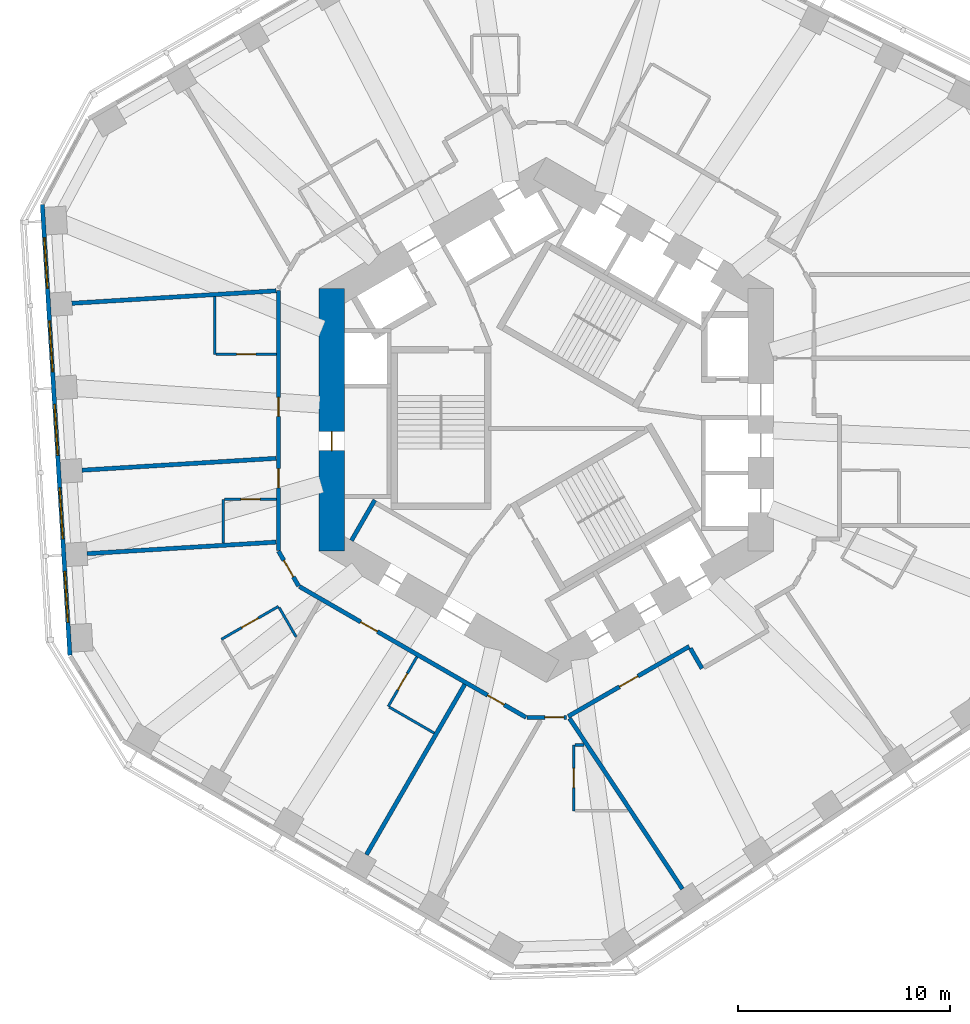
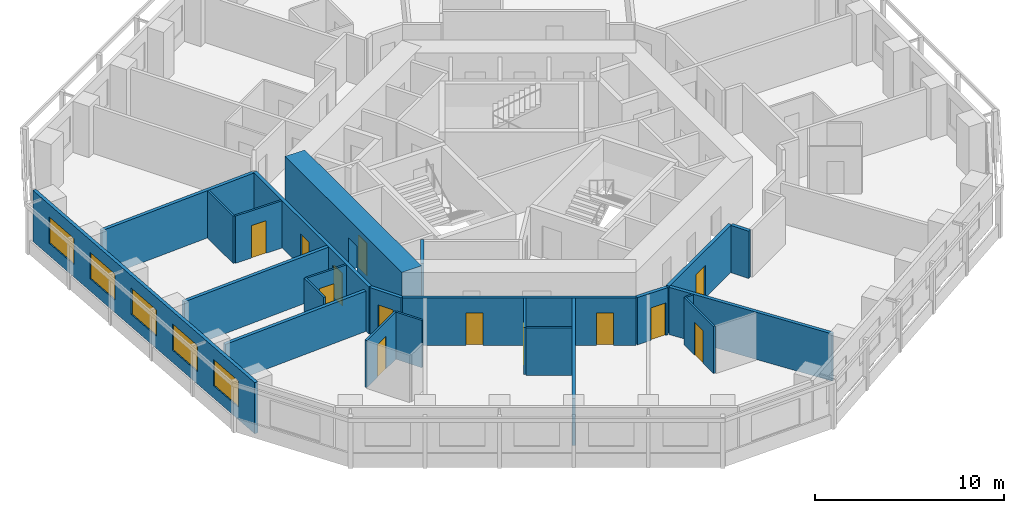
# One storey, part 4 of 11: 24 walls, 13 doors, 5 windows, 18 openings.
"""IFC4 building model written with IfcOpenShell, lengths in metres."""

from ifc_helpers import new_model, si_unit, direction, frame, frame_2d, origin, place, context, subcontext, project, spatial, rectangle, extrude, material, layer, layer_set, type_object, element, fill, save


model = new_model("IFC4")

# Units and contexts
model_context = context("Model", 3, precision=1e-05, world=origin(), true_north=direction((0.0, 1.0)))
body_context = subcontext(model_context, "Body", "Model", "MODEL_VIEW")
ifc_project = project(units=[si_unit("LENGTHUNIT", "METRE"), si_unit("AREAUNIT", "SQUARE_METRE"), si_unit("VOLUMEUNIT", "CUBIC_METRE"), si_unit("PLANEANGLEUNIT", "RADIAN"), si_unit("MASSUNIT", "GRAM", prefix="KILO")], contexts=[model_context])

# Site, building, storey
site_placement = place(None, origin())
site = spatial("IfcSite", under=ifc_project, at=site_placement, CompositionType="ELEMENT")
building_placement = place(site_placement, origin())
building = spatial("IfcBuilding", under=site, at=building_placement, Name="Vanh Sen Convention Tower", CompositionType="ELEMENT")
storey_placement = place(building_placement, frame((0.0, 0.0, 100.10009765625)))
storey = spatial("IfcBuildingStorey", under=building, at=storey_placement, Name="L23", CompositionType="ELEMENT", Elevation=100.10009765625)

# Wall
ifc_material_1 = material(Name="Moisture-resistant gypsum board on steel studs", Category="steel")
ifc_layer_1 = layer(ifc_material_1, 0.1201171875)
ifc_layer_set_1 = layer_set([ifc_layer_1], Name="Moisture-resistant gypsum board on steel studs")
wall_type_1 = type_object("IfcWallType", Name="Bathroom partition 120", PredefinedType="PARTITIONING", material=ifc_layer_set_1)
wall_1_placement = place(storey_placement, frame((-15.60009765625, 3.081298828125, 0.0), z_axis=(0.0, 0.0, 1.0), x_axis=(0.0, 1.0, 0.0)))
element("IfcWall", 1, at=wall_1_placement, inside=storey, type_object=wall_type_1, Name="Bathroom partition 120", PredefinedType="PARTITIONING", context=body_context, shape_type="SweptSolid", body=[
    extrude(rectangle(XDim=2.71630859375, YDim=0.1201171875, at=frame_2d((1.358154296875, 0.0))), origin(), (0.0, 0.0, 1.0), 3.0498046875),
])

# Wall, opening, door
wall_2_placement = place(storey_placement, frame((-15.285400390625, -10.326171875, 0.0), z_axis=(0.0, 0.0, 1.0), x_axis=(0.86600983753, 0.500026960575, 0.0)))
wall_2 = element("IfcWall", 2, at=wall_2_placement, inside=storey, type_object=wall_type_1, Name="Bathroom partition 120", PredefinedType="PARTITIONING", context=body_context, shape_type="SweptSolid", body=[
    extrude(rectangle(XDim=3.099853515625, YDim=0.1201171875, at=frame_2d((1.5498046875, 0.0))), origin(), (0.0, 0.0, 1.0), 3.0498046875),
])
opening_1_placement = place(wall_2_placement, frame((1.10009765625, 0.0, 0.0)))
opening_1 = element("IfcOpeningElement", 3, at=opening_1_placement, cuts=wall_2, Name="Opening D22119", PredefinedType="OPENING", context=body_context, shape_type="SweptSolid", body=[
    extrude(rectangle(XDim=0.89990234375, YDim=2.10009765625, at=frame_2d((0.449951171875, 1.050048828125))), frame((0.0, 0.070068359375, 0.0), z_axis=(0.0, -1.0, 0.0), x_axis=(1.0, 0.0, 0.0)), (0.0, 0.0, 1.0), 0.14013671875),
])
ifc_material_2 = material(Name="Laminate door in steel frame", Category="steel")
door_type_1 = type_object("IfcDoorType", Name="En-suite door 900", OperationType="SINGLE_SWING_LEFT", PredefinedType="DOOR", material=ifc_material_2)
door_1_placement = place(opening_1_placement, origin())
door_1 = element("IfcDoor", 4, at=door_1_placement, inside=storey, type_object=door_type_1, Name="En-suite door D22119", OperationType="SINGLE_SWING_LEFT", OverallHeight=2.10009765625, OverallWidth=0.89990234375, PredefinedType="DOOR", context=body_context, shape_type="SweptSolid", body=[
    extrude(rectangle(XDim=0.89990234375, YDim=2.10009765625, at=frame_2d((0.449951171875, 1.050048828125))), frame((0.0, 0.02490234375, 0.0), z_axis=(0.0, -1.0, 0.0), x_axis=(1.0, 0.0, 0.0)), (0.0, 0.0, 1.0), 0.050048828125),
])
fill(opening_1, door_1)

# Wall
wall_3_placement = place(storey_placement, frame((-15.199951171875, -5.8037109375, 0.0), z_axis=(0.0, 0.0, 1.0), x_axis=(0.0, 1.0, 0.0)))
element("IfcWall", 5, at=wall_3_placement, inside=storey, type_object=wall_type_1, Name="Bathroom partition 120", PredefinedType="PARTITIONING", context=body_context, shape_type="SweptSolid", body=[
    extrude(rectangle(XDim=2.059326171875, YDim=0.1201171875, at=frame_2d((1.02978515625, 0.0))), origin(), (0.0, 0.0, 1.0), 3.0498046875),
])

# Wall, opening, door
wall_4_placement = place(storey_placement, frame((-15.139892578125, -3.744384765625, 0.0), z_axis=(0.0, 0.0, 1.0), x_axis=(1.0, 0.0, 0.0)))
wall_4 = element("IfcWall", 6, at=wall_4_placement, inside=storey, type_object=wall_type_1, Name="Bathroom partition 120", PredefinedType="PARTITIONING", context=body_context, shape_type="SweptSolid", body=[
    extrude(rectangle(XDim=2.43994140625, YDim=0.1201171875, at=frame_2d((1.219970703125, 0.0))), origin(), (0.0, 0.0, 1.0), 3.0498046875),
])
opening_2_placement = place(wall_4_placement, frame((0.77001953125, 0.0, 0.0)))
opening_2 = element("IfcOpeningElement", 7, at=opening_2_placement, cuts=wall_4, Name="Opening D22117", PredefinedType="OPENING", context=body_context, shape_type="SweptSolid", body=[
    extrude(rectangle(XDim=0.89990234375, YDim=2.10009765625, at=frame_2d((0.449951171875, 1.050048828125))), frame((0.0, 0.070068359375, 0.0), z_axis=(0.0, -1.0, 0.0), x_axis=(1.0, 0.0, 0.0)), (0.0, 0.0, 1.0), 0.14013671875),
])
door_2_placement = place(opening_2_placement, origin())
door_2 = element("IfcDoor", 8, at=door_2_placement, inside=storey, type_object=door_type_1, Name="En-suite door D22117", OperationType="SINGLE_SWING_LEFT", OverallHeight=2.10009765625, OverallWidth=0.89990234375, PredefinedType="DOOR", context=body_context, shape_type="SweptSolid", body=[
    extrude(rectangle(XDim=0.89990234375, YDim=2.10009765625, at=frame_2d((0.449951171875, 1.050048828125))), frame((0.0, 0.02490234375, 0.0), z_axis=(0.0, -1.0, 0.0), x_axis=(1.0, 0.0, 0.0)), (0.0, 0.0, 1.0), 0.050048828125),
])
fill(opening_2, door_2)

wall_5_placement = place(storey_placement, frame((-12.699951171875, 3.081298828125, 0.0), z_axis=(0.0, 0.0, 1.0), x_axis=(-1.0, 0.0, 0.0)))
wall_5 = element("IfcWall", 9, at=wall_5_placement, inside=storey, type_object=wall_type_1, Name="Bathroom partition 120", PredefinedType="PARTITIONING", context=body_context, shape_type="SweptSolid", body=[
    extrude(rectangle(XDim=2.840087890625, YDim=0.1201171875, at=frame_2d((1.419921875, 0.0))), origin(), (0.0, 0.0, 1.0), 3.0498046875),
])
opening_3_placement = place(wall_5_placement, frame((0.969970703125, 0.0, 0.0)))
opening_3 = element("IfcOpeningElement", 10, at=opening_3_placement, cuts=wall_5, Name="Opening D22115", PredefinedType="OPENING", context=body_context, shape_type="SweptSolid", body=[
    extrude(rectangle(XDim=0.89990234375, YDim=2.10009765625, at=frame_2d((0.449951171875, 1.050048828125))), frame((0.0, 0.070068359375, 0.0), z_axis=(0.0, -1.0, 0.0), x_axis=(1.0, 0.0, 0.0)), (0.0, 0.0, 1.0), 0.14013671875),
])
door_3_placement = place(opening_3_placement, origin())
door_3 = element("IfcDoor", 11, at=door_3_placement, inside=storey, type_object=door_type_1, Name="En-suite door D22115", OperationType="SINGLE_SWING_LEFT", OverallHeight=2.10009765625, OverallWidth=0.89990234375, PredefinedType="DOOR", context=body_context, shape_type="SweptSolid", body=[
    extrude(rectangle(XDim=0.89990234375, YDim=2.10009765625, at=frame_2d((0.449951171875, 1.050048828125))), frame((0.0, 0.02490234375, 0.0), z_axis=(0.0, -1.0, 0.0), x_axis=(1.0, 0.0, 0.0)), (0.0, 0.0, 1.0), 0.050048828125),
])
fill(opening_3, door_3)

# Wall
wall_6_placement = place(storey_placement, frame((-12.57080078125, -8.828125, 0.0), z_axis=(0.0, 0.0, 1.0), x_axis=(0.499960029081, -0.866048479775, 0.0)))
element("IfcWall", 12, at=wall_6_placement, inside=storey, type_object=wall_type_1, Name="Bathroom partition 120", PredefinedType="PARTITIONING", context=body_context, shape_type="SweptSolid", body=[
    extrude(rectangle(XDim=1.601318359375, YDim=0.1201171875, at=frame_2d((0.80078125, 0.0))), origin(), (0.0, 0.0, 1.0), 3.0498046875),
])

# Wall, opening, door
wall_7_placement = place(storey_placement, frame((-7.436279296875, -13.489013671875, 0.0), z_axis=(0.0, 0.0, 1.0), x_axis=(0.500048589285, 0.86599734893, 0.0)))
wall_7 = element("IfcWall", 13, at=wall_7_placement, inside=storey, type_object=wall_type_1, Name="Bathroom partition 120", PredefinedType="PARTITIONING", context=body_context, shape_type="SweptSolid", body=[
    extrude(rectangle(XDim=2.699951171875, YDim=0.1201171875, at=frame_2d((1.35009765625, 0.0))), origin(), (0.0, 0.0, 1.0), 3.0498046875),
])
opening_4_placement = place(wall_7_placement, frame((0.89990234375, 0.0, 0.0)))
opening_4 = element("IfcOpeningElement", 14, at=opening_4_placement, cuts=wall_7, Name="Opening D22121", PredefinedType="OPENING", context=body_context, shape_type="SweptSolid", body=[
    extrude(rectangle(XDim=0.89990234375, YDim=2.10009765625, at=frame_2d((0.449951171875, 1.050048828125))), frame((0.0, 0.070068359375, 0.0), z_axis=(0.0, -1.0, 0.0), x_axis=(1.0, 0.0, 0.0)), (0.0, 0.0, 1.0), 0.14013671875),
])
door_4_placement = place(opening_4_placement, origin())
door_4 = element("IfcDoor", 15, at=door_4_placement, inside=storey, type_object=door_type_1, Name="En-suite door D22121", OperationType="SINGLE_SWING_LEFT", OverallHeight=2.10009765625, OverallWidth=0.89990234375, PredefinedType="DOOR", context=body_context, shape_type="SweptSolid", body=[
    extrude(rectangle(XDim=0.89990234375, YDim=2.10009765625, at=frame_2d((0.449951171875, 1.050048828125))), frame((0.0, 0.02490234375, 0.0), z_axis=(0.0, -1.0, 0.0), x_axis=(1.0, 0.0, 0.0)), (0.0, 0.0, 1.0), 0.050048828125),
])
fill(opening_4, door_4)

# Wall
wall_8_placement = place(storey_placement, frame((-5.271240234375, -14.739013671875, 0.0), z_axis=(0.0, 0.0, 1.0), x_axis=(-0.866023955769, 0.500002508028, 0.0)))
element("IfcWall", 16, at=wall_8_placement, inside=storey, type_object=wall_type_1, Name="Bathroom partition 120", PredefinedType="PARTITIONING", context=body_context, shape_type="SweptSolid", body=[
    extrude(rectangle(XDim=2.43994140625, YDim=0.1201171875, at=frame_2d((1.219970703125, 0.0))), origin(), (0.0, 0.0, 1.0), 3.0498046875),
])

# Wall, opening, door
wall_9_placement = place(storey_placement, frame((1.300048828125, -18.400634765625, 0.0), z_axis=(0.0, 0.0, 1.0), x_axis=(0.0, 1.0, 0.0)))
wall_9 = element("IfcWall", 17, at=wall_9_placement, inside=storey, type_object=wall_type_1, Name="Bathroom partition 120", PredefinedType="PARTITIONING", context=body_context, shape_type="SweptSolid", body=[
    extrude(rectangle(XDim=3.099853515625, YDim=0.1201171875, at=frame_2d((1.5498046875, 0.0))), origin(), (0.0, 0.0, 1.0), 3.0498046875),
])
opening_5_placement = place(wall_9_placement, frame((1.10009765625, 0.0, 0.0)))
opening_5 = element("IfcOpeningElement", 18, at=opening_5_placement, cuts=wall_9, Name="Opening D22124", PredefinedType="OPENING", context=body_context, shape_type="SweptSolid", body=[
    extrude(rectangle(XDim=0.89990234375, YDim=2.10009765625, at=frame_2d((0.449951171875, 1.050048828125))), frame((0.0, 0.070068359375, 0.0), z_axis=(0.0, -1.0, 0.0), x_axis=(1.0, 0.0, 0.0)), (0.0, 0.0, 1.0), 0.14013671875),
])
door_5_placement = place(opening_5_placement, origin())
door_5 = element("IfcDoor", 19, at=door_5_placement, inside=storey, type_object=door_type_1, Name="En-suite door D22124", OperationType="SINGLE_SWING_LEFT", OverallHeight=2.10009765625, OverallWidth=0.89990234375, PredefinedType="DOOR", context=body_context, shape_type="SweptSolid", body=[
    extrude(rectangle(XDim=0.89990234375, YDim=2.10009765625, at=frame_2d((0.449951171875, 1.050048828125))), frame((0.0, 0.02490234375, 0.0), z_axis=(0.0, -1.0, 0.0), x_axis=(1.0, 0.0, 0.0)), (0.0, 0.0, 1.0), 0.050048828125),
])
fill(opening_5, door_5)

# Wall
wall_10_placement = place(storey_placement, frame((1.360107421875, -15.30078125, 0.0), z_axis=(0.0, 0.0, 1.0), x_axis=(1.0, 0.0, 0.0)))
element("IfcWall", 20, at=wall_10_placement, inside=storey, type_object=wall_type_1, Name="Bathroom partition 120", PredefinedType="PARTITIONING", context=body_context, shape_type="SweptSolid", body=[
    extrude(rectangle(XDim=0.415771484375, YDim=0.1201171875, at=frame_2d((0.2080078125, 0.0))), origin(), (0.0, 0.0, 1.0), 3.0498046875),
])

# Wall, opening, door
ifc_material_3 = material(Name="Concrete C80/95", Category="concrete")
ifc_layer_2 = layer(ifc_material_3, 1.199951171875)
ifc_layer_set_2 = layer_set([ifc_layer_2], Name="Concrete C80/95")
wall_type_2 = type_object("IfcWallType", Name="Core outer wall 1200 C80/95", PredefinedType="SHEAR", material=ifc_layer_set_2)
wall_11_placement = place(storey_placement, frame((-10.10009765625, 6.177490234375, 0.0), z_axis=(0.0, 0.0, 1.0), x_axis=(0.0, -1.0, 0.0)))
wall_11 = element("IfcWall", 21, at=wall_11_placement, inside=storey, type_object=wall_type_2, Name="Core wall face W L23", PredefinedType="SHEAR", context=body_context, shape_type="SweptSolid", body=[
    extrude(rectangle(XDim=12.35498046875, YDim=1.199951171875, at=frame_2d((6.177490234375, 0.0))), origin(), (0.0, 0.0, 1.0), 3.2998046875),
])
opening_6_placement = place(wall_11_placement, frame((6.7275390625, 0.0, 0.0)))
opening_6 = element("IfcOpeningElement", 22, at=opening_6_placement, cuts=wall_11, Name="Opening D22009", PredefinedType="OPENING", context=body_context, shape_type="SweptSolid", body=[
    extrude(rectangle(XDim=0.89990234375, YDim=2.10009765625, at=frame_2d((0.449951171875, 1.050048828125))), frame((0.0, 0.60986328125, 0.0), z_axis=(0.0, -1.0, 0.0), x_axis=(1.0, 0.0, 0.0)), (0.0, 0.0, 1.0), 1.219970703125),
])
ifc_material_4 = material(Name="Steel S355", Category="steel")
door_type_2 = type_object("IfcDoorType", Name="Plant door 900", OperationType="SINGLE_SWING_LEFT", PredefinedType="DOOR", material=ifc_material_4)
door_6_placement = place(opening_6_placement, origin())
door_6 = element("IfcDoor", 23, at=door_6_placement, inside=storey, type_object=door_type_2, Name="Plant door D22009", OperationType="SINGLE_SWING_LEFT", OverallHeight=2.10009765625, OverallWidth=0.89990234375, PredefinedType="DOOR", context=body_context, shape_type="SweptSolid", body=[
    extrude(rectangle(XDim=0.89990234375, YDim=2.10009765625, at=frame_2d((0.449951171875, 1.050048828125))), frame((0.0, 0.02490234375, 0.0), z_axis=(0.0, -1.0, 0.0), x_axis=(1.0, 0.0, 0.0)), (0.0, 0.0, 1.0), 0.050048828125),
])
fill(opening_6, door_6)

ifc_material_5 = material(Name="Gypsum board on steel studs with mineral wool", Category="steel")
ifc_layer_3 = layer(ifc_material_5, 0.199951171875)
ifc_layer_set_3 = layer_set([ifc_layer_3], Name="Gypsum board on steel studs with mineral wool")
wall_type_3 = type_object("IfcWallType", Name="Corridor partition wall 200", PredefinedType="PARTITIONING", material=ifc_layer_set_3)
wall_12_placement = place(storey_placement, frame((-12.60009765625, -6.177490234375, 0.0), z_axis=(0.0, 0.0, 1.0), x_axis=(0.500063520245, -0.865988727248, 0.0)))
wall_12 = element("IfcWall", 24, at=wall_12_placement, inside=storey, type_object=wall_type_3, Name="Corridor partition wall 200", PredefinedType="PARTITIONING", context=body_context, shape_type="SweptSolid", body=[
    extrude(rectangle(XDim=1.900146484375, YDim=0.199951171875, at=frame_2d((0.9501953125, 0.0))), origin(), (0.0, 0.0, 1.0), 3.0498046875),
])
opening_7_placement = place(wall_12_placement, frame((0.5, 0.0, 0.0)))
opening_7 = element("IfcOpeningElement", 25, at=opening_7_placement, cuts=wall_12, Name="Opening D22118", PredefinedType="OPENING", context=body_context, shape_type="SweptSolid", body=[
    extrude(rectangle(XDim=0.89990234375, YDim=2.10009765625, at=frame_2d((0.449951171875, 1.050048828125))), frame((0.0, 0.10986328125, 0.0), z_axis=(0.0, -1.0, 0.0), x_axis=(1.0, 0.0, 0.0)), (0.0, 0.0, 1.0), 0.219970703125),
])
ifc_material_6 = material(Name="Timber fire door in steel frame", Category="steel")
door_type_3 = type_object("IfcDoorType", Name="Guest room door 900", OperationType="SINGLE_SWING_LEFT", PredefinedType="DOOR", material=ifc_material_6)
door_7_placement = place(opening_7_placement, origin())
door_7 = element("IfcDoor", 26, at=door_7_placement, inside=storey, type_object=door_type_3, Name="Hotel guest room door D22118", OperationType="SINGLE_SWING_LEFT", OverallHeight=2.10009765625, OverallWidth=0.89990234375, PredefinedType="DOOR", context=body_context, shape_type="SweptSolid", body=[
    extrude(rectangle(XDim=0.89990234375, YDim=2.10009765625, at=frame_2d((0.449951171875, 1.050048828125))), frame((0.0, 0.02490234375, 0.0), z_axis=(0.0, -1.0, 0.0), x_axis=(1.0, 0.0, 0.0)), (0.0, 0.0, 1.0), 0.050048828125),
])
fill(opening_7, door_7)

# Wall, openings, doors
wall_13_placement = place(storey_placement, frame((-12.60009765625, 6.081298828125, 0.0), z_axis=(0.0, 0.0, 1.0), x_axis=(0.0, -1.0, 0.0)))
wall_13 = element("IfcWall", 27, at=wall_13_placement, inside=storey, type_object=wall_type_3, Name="Corridor partition wall 200", PredefinedType="PARTITIONING", context=body_context, shape_type="SweptSolid", body=[
    extrude(rectangle(XDim=12.218994140625, YDim=0.199951171875, at=frame_2d((6.109375, 0.0))), origin(), (0.0, 0.0, 1.0), 3.0498046875),
])
opening_8_placement = place(wall_13_placement, frame((5.016845703125, 0.0, 0.0)))
opening_8 = element("IfcOpeningElement", 28, at=opening_8_placement, cuts=wall_13, Name="Opening D22114", PredefinedType="OPENING", context=body_context, shape_type="SweptSolid", body=[
    extrude(rectangle(XDim=0.89990234375, YDim=2.10009765625, at=frame_2d((0.449951171875, 1.050048828125))), frame((0.0, 0.10986328125, 0.0), z_axis=(0.0, -1.0, 0.0), x_axis=(1.0, 0.0, 0.0)), (0.0, 0.0, 1.0), 0.219970703125),
])
opening_9_placement = place(wall_13_placement, frame((8.3798828125, 0.0, 0.0)))
opening_9 = element("IfcOpeningElement", 29, at=opening_9_placement, cuts=wall_13, Name="Opening D22116", PredefinedType="OPENING", context=body_context, shape_type="SweptSolid", body=[
    extrude(rectangle(XDim=0.89990234375, YDim=2.10009765625, at=frame_2d((0.449951171875, 1.050048828125))), frame((0.0, 0.10986328125, 0.0), z_axis=(0.0, -1.0, 0.0), x_axis=(1.0, 0.0, 0.0)), (0.0, 0.0, 1.0), 0.219970703125),
])
door_8_placement = place(opening_8_placement, origin())
door_8 = element("IfcDoor", 30, at=door_8_placement, inside=storey, type_object=door_type_3, Name="Hotel guest room door D22114", OperationType="SINGLE_SWING_LEFT", OverallHeight=2.10009765625, OverallWidth=0.89990234375, PredefinedType="DOOR", context=body_context, shape_type="SweptSolid", body=[
    extrude(rectangle(XDim=0.89990234375, YDim=2.10009765625, at=frame_2d((0.449951171875, 1.050048828125))), frame((0.0, 0.02490234375, 0.0), z_axis=(0.0, -1.0, 0.0), x_axis=(1.0, 0.0, 0.0)), (0.0, 0.0, 1.0), 0.050048828125),
])
fill(opening_8, door_8)
door_9_placement = place(opening_9_placement, origin())
door_9 = element("IfcDoor", 31, at=door_9_placement, inside=storey, type_object=door_type_3, Name="Hotel guest room door D22116", OperationType="SINGLE_SWING_LEFT", OverallHeight=2.10009765625, OverallWidth=0.89990234375, PredefinedType="DOOR", context=body_context, shape_type="SweptSolid", body=[
    extrude(rectangle(XDim=0.89990234375, YDim=2.10009765625, at=frame_2d((0.449951171875, 1.050048828125))), frame((0.0, 0.02490234375, 0.0), z_axis=(0.0, -1.0, 0.0), x_axis=(1.0, 0.0, 0.0)), (0.0, 0.0, 1.0), 0.050048828125),
])
fill(opening_9, door_9)

wall_14_placement = place(storey_placement, frame((-11.615478515625, -7.843017578125, 0.0), z_axis=(0.0, 0.0, 1.0), x_axis=(0.866026466995, -0.499998158461, 0.0)))
wall_14 = element("IfcWall", 32, at=wall_14_placement, inside=storey, type_object=wall_type_3, Name="Corridor partition wall 200", PredefinedType="PARTITIONING", context=body_context, shape_type="SweptSolid", body=[
    extrude(rectangle(XDim=12.3154296875, YDim=0.199951171875, at=frame_2d((6.15771484375, 0.0))), origin(), (0.0, 0.0, 1.0), 3.0498046875),
])
opening_10_placement = place(wall_14_placement, frame((3.332763671875, 0.0, 0.0)))
opening_10 = element("IfcOpeningElement", 33, at=opening_10_placement, cuts=wall_14, Name="Opening D22120", PredefinedType="OPENING", context=body_context, shape_type="SweptSolid", body=[
    extrude(rectangle(XDim=0.89990234375, YDim=2.10009765625, at=frame_2d((0.449951171875, 1.050048828125))), frame((0.0, 0.10986328125, 0.0), z_axis=(0.0, -1.0, 0.0), x_axis=(1.0, 0.0, 0.0)), (0.0, 0.0, 1.0), 0.219970703125),
])
opening_11_placement = place(wall_14_placement, frame((10.228759765625, 0.0, 0.0)))
opening_11 = element("IfcOpeningElement", 34, at=opening_11_placement, cuts=wall_14, Name="Opening D22122", PredefinedType="OPENING", context=body_context, shape_type="SweptSolid", body=[
    extrude(rectangle(XDim=0.89990234375, YDim=2.10009765625, at=frame_2d((0.449951171875, 1.050048828125))), frame((0.0, 0.10986328125, 0.0), z_axis=(0.0, -1.0, 0.0), x_axis=(1.0, 0.0, 0.0)), (0.0, 0.0, 1.0), 0.219970703125),
])
door_type_4 = type_object("IfcDoorType", Name="Floor service door 900", OperationType="SINGLE_SWING_LEFT", PredefinedType="DOOR", material=ifc_material_6)
door_10_placement = place(opening_11_placement, origin())
door_10 = element("IfcDoor", 35, at=door_10_placement, inside=storey, type_object=door_type_4, Name="Service room door D22122", OperationType="SINGLE_SWING_LEFT", OverallHeight=2.10009765625, OverallWidth=0.89990234375, PredefinedType="DOOR", context=body_context, shape_type="SweptSolid", body=[
    extrude(rectangle(XDim=0.89990234375, YDim=2.10009765625, at=frame_2d((0.449951171875, 1.050048828125))), frame((0.0, 0.02490234375, 0.0), z_axis=(0.0, -1.0, 0.0), x_axis=(1.0, 0.0, 0.0)), (0.0, 0.0, 1.0), 0.050048828125),
])
fill(opening_11, door_10)
door_11_placement = place(opening_10_placement, origin())
door_11 = element("IfcDoor", 36, at=door_11_placement, inside=storey, type_object=door_type_3, Name="Hotel guest room door D22120", OperationType="SINGLE_SWING_LEFT", OverallHeight=2.10009765625, OverallWidth=0.89990234375, PredefinedType="DOOR", context=body_context, shape_type="SweptSolid", body=[
    extrude(rectangle(XDim=0.89990234375, YDim=2.10009765625, at=frame_2d((0.449951171875, 1.050048828125))), frame((0.0, 0.02490234375, 0.0), z_axis=(0.0, -1.0, 0.0), x_axis=(1.0, 0.0, 0.0)), (0.0, 0.0, 1.0), 0.050048828125),
])
fill(opening_10, door_11)

# Wall, opening, door
wall_15_placement = place(storey_placement, frame((-0.909912109375, -14.000732421875, 0.0), z_axis=(0.0, 0.0, 1.0), x_axis=(1.0, 0.0, 0.0)))
wall_15 = element("IfcWall", 37, at=wall_15_placement, inside=storey, type_object=wall_type_3, Name="Corridor partition wall 200", PredefinedType="PARTITIONING", context=body_context, shape_type="SweptSolid", body=[
    extrude(rectangle(XDim=1.85986328125, YDim=0.199951171875, at=frame_2d((0.929931640625, 0.0))), origin(), (0.0, 0.0, 1.0), 3.0498046875),
])
opening_12_placement = place(wall_15_placement, frame((0.841796875, 0.0, 0.0)))
opening_12 = element("IfcOpeningElement", 38, at=opening_12_placement, cuts=wall_15, Name="Opening D22123", PredefinedType="OPENING", context=body_context, shape_type="SweptSolid", body=[
    extrude(rectangle(XDim=0.89990234375, YDim=2.10009765625, at=frame_2d((0.449951171875, 1.050048828125))), frame((0.0, 0.10986328125, 0.0), z_axis=(0.0, -1.0, 0.0), x_axis=(1.0, 0.0, 0.0)), (0.0, 0.0, 1.0), 0.219970703125),
])
door_12_placement = place(opening_12_placement, origin())
door_12 = element("IfcDoor", 39, at=door_12_placement, inside=storey, type_object=door_type_3, Name="Hotel guest room door D22123", OperationType="SINGLE_SWING_LEFT", OverallHeight=2.10009765625, OverallWidth=0.89990234375, PredefinedType="DOOR", context=body_context, shape_type="SweptSolid", body=[
    extrude(rectangle(XDim=0.89990234375, YDim=2.10009765625, at=frame_2d((0.449951171875, 1.050048828125))), frame((0.0, 0.02490234375, 0.0), z_axis=(0.0, -1.0, 0.0), x_axis=(1.0, 0.0, 0.0)), (0.0, 0.0, 1.0), 0.050048828125),
])
fill(opening_12, door_12)

wall_16_placement = place(storey_placement, frame((1.033447265625, -13.95263671875, 0.0), z_axis=(0.0, 0.0, 1.0), x_axis=(0.866017531406, 0.500013635111, 0.0)))
wall_16 = element("IfcWall", 40, at=wall_16_placement, inside=storey, type_object=wall_type_3, Name="Corridor partition wall 200", PredefinedType="PARTITIONING", context=body_context, shape_type="SweptSolid", body=[
    extrude(rectangle(XDim=6.580322265625, YDim=0.199951171875, at=frame_2d((3.2900390625, 0.0))), origin(), (0.0, 0.0, 1.0), 3.0498046875),
])
opening_13_placement = place(wall_16_placement, frame((2.7900390625, 0.0, 0.0)))
opening_13 = element("IfcOpeningElement", 41, at=opening_13_placement, cuts=wall_16, Name="Opening D22125", PredefinedType="OPENING", context=body_context, shape_type="SweptSolid", body=[
    extrude(rectangle(XDim=1.0, YDim=2.10009765625, at=frame_2d((0.5, 1.050048828125))), frame((0.0, 0.10986328125, 0.0), z_axis=(0.0, -1.0, 0.0), x_axis=(1.0, 0.0, 0.0)), (0.0, 0.0, 1.0), 0.219970703125),
])
door_type_5 = type_object("IfcDoorType", Name="Floor room door 1000", OperationType="SINGLE_SWING_LEFT", PredefinedType="DOOR", material=ifc_material_6)
door_13_placement = place(opening_13_placement, origin())
door_13 = element("IfcDoor", 42, at=door_13_placement, inside=storey, type_object=door_type_5, Name="Meeting and amenity room door D22125", OperationType="SINGLE_SWING_LEFT", OverallHeight=2.10009765625, OverallWidth=1.0, PredefinedType="DOOR", context=body_context, shape_type="SweptSolid", body=[
    extrude(rectangle(XDim=1.0, YDim=2.10009765625, at=frame_2d((0.5, 1.050048828125))), frame((0.0, 0.02490234375, 0.0), z_axis=(0.0, -1.0, 0.0), x_axis=(1.0, 0.0, 0.0)), (0.0, 0.0, 1.0), 0.050048828125),
])
fill(opening_13, door_13)

# Wall
wall_17_placement = place(storey_placement, frame((6.781982421875, -10.7490234375, 0.0), z_axis=(0.0, 0.0, 1.0), x_axis=(0.500074377092, -0.865982457891, 0.0)))
element("IfcWall", 43, at=wall_17_placement, inside=storey, type_object=wall_type_3, Name="Corridor partition wall 200", PredefinedType="PARTITIONING", context=body_context, shape_type="SweptSolid", body=[
    extrude(rectangle(XDim=1.100830078125, YDim=0.199951171875, at=frame_2d((0.55029296875, 0.0))), origin(), (0.0, 0.0, 1.0), 3.0498046875),
])

# Wall, openings, windows
ifc_material_7 = material(Name="Insulated lightweight infill wall")
ifc_layer_4 = layer(ifc_material_7, 0.199951171875)
ifc_layer_set_4 = layer_set([ifc_layer_4], Name="Insulated lightweight infill wall")
wall_type_4 = type_object("IfcWallType", Name="External wall 200", PredefinedType="STANDARD", material=ifc_layer_set_4)
wall_18_placement = place(storey_placement, frame((-23.712646484375, 10.130859375, 0.0), z_axis=(0.0, 0.0, 1.0), x_axis=(0.061040439785, -0.998135293791, 0.0)))
wall_18 = element("IfcWall", 44, at=wall_18_placement, inside=storey, type_object=wall_type_4, Name="External wall W L23", PredefinedType="STANDARD", context=body_context, shape_type="SweptSolid", body=[
    extrude(rectangle(XDim=21.24609375, YDim=0.199951171875, at=frame_2d((10.623046875, 0.0))), origin(), (0.0, 0.0, 1.0), 3.2998046875),
])
opening_14_placement = place(wall_18_placement, frame((1.552978515625, 0.0, 0.800048828125)))
opening_14 = element("IfcOpeningElement", 45, at=opening_14_placement, cuts=wall_18, Name="Opening WH1-W1", PredefinedType="OPENING", context=body_context, shape_type="SweptSolid", body=[
    extrude(rectangle(XDim=2.39990234375, YDim=1.699951171875, at=frame_2d((1.199951171875, 0.85009765625))), frame((0.0, 0.10986328125, 0.0), z_axis=(0.0, -1.0, 0.0), x_axis=(1.0, 0.0, 0.0)), (0.0, 0.0, 1.0), 0.219970703125),
])
opening_15_placement = place(wall_18_placement, frame((5.48779296875, 0.0, 0.800048828125)))
opening_15 = element("IfcOpeningElement", 46, at=opening_15_placement, cuts=wall_18, Name="Opening WH1-W2", PredefinedType="OPENING", context=body_context, shape_type="SweptSolid", body=[
    extrude(rectangle(XDim=2.39990234375, YDim=1.699951171875, at=frame_2d((1.199951171875, 0.85009765625))), frame((0.0, 0.10986328125, 0.0), z_axis=(0.0, -1.0, 0.0), x_axis=(1.0, 0.0, 0.0)), (0.0, 0.0, 1.0), 0.219970703125),
])
opening_16_placement = place(wall_18_placement, frame((9.42236328125, 0.0, 0.800048828125)))
opening_16 = element("IfcOpeningElement", 47, at=opening_16_placement, cuts=wall_18, Name="Opening WH1-W3", PredefinedType="OPENING", context=body_context, shape_type="SweptSolid", body=[
    extrude(rectangle(XDim=2.39990234375, YDim=1.699951171875, at=frame_2d((1.199951171875, 0.85009765625))), frame((0.0, 0.10986328125, 0.0), z_axis=(0.0, -1.0, 0.0), x_axis=(1.0, 0.0, 0.0)), (0.0, 0.0, 1.0), 0.219970703125),
])
opening_17_placement = place(wall_18_placement, frame((13.35693359375, 0.0, 0.800048828125)))
opening_17 = element("IfcOpeningElement", 48, at=opening_17_placement, cuts=wall_18, Name="Opening WH1-W4", PredefinedType="OPENING", context=body_context, shape_type="SweptSolid", body=[
    extrude(rectangle(XDim=2.39990234375, YDim=1.699951171875, at=frame_2d((1.199951171875, 0.85009765625))), frame((0.0, 0.10986328125, 0.0), z_axis=(0.0, -1.0, 0.0), x_axis=(1.0, 0.0, 0.0)), (0.0, 0.0, 1.0), 0.219970703125),
])
opening_18_placement = place(wall_18_placement, frame((17.29150390625, 0.0, 0.800048828125)))
opening_18 = element("IfcOpeningElement", 49, at=opening_18_placement, cuts=wall_18, Name="Opening WH1-W5", PredefinedType="OPENING", context=body_context, shape_type="SweptSolid", body=[
    extrude(rectangle(XDim=2.39990234375, YDim=1.699951171875, at=frame_2d((1.199951171875, 0.85009765625))), frame((0.0, 0.10986328125, 0.0), z_axis=(0.0, -1.0, 0.0), x_axis=(1.0, 0.0, 0.0)), (0.0, 0.0, 1.0), 0.219970703125),
])
ifc_material_8 = material(Name="Aluminium frame with clear low-emissivity glass", Category="aluminium")
window_type = type_object("IfcWindowType", Name="Hotel window 2400 x 1700", PartitioningType="SINGLE_PANEL", PredefinedType="WINDOW", material=ifc_material_8)
window_1_placement = place(opening_14_placement, origin())
window_1 = element("IfcWindow", 50, at=window_1_placement, inside=storey, type_object=window_type, Name="Window WH1-W1", OverallHeight=1.699951171875, OverallWidth=2.39990234375, PartitioningType="SINGLE_PANEL", PredefinedType="WINDOW", context=body_context, shape_type="SweptSolid", body=[
    extrude(rectangle(XDim=2.39990234375, YDim=1.699951171875, at=frame_2d((1.199951171875, 0.85009765625))), frame((0.0, 0.030029296875, 0.0), z_axis=(0.0, -1.0, 0.0), x_axis=(1.0, 0.0, 0.0)), (0.0, 0.0, 1.0), 0.06005859375),
])
fill(opening_14, window_1)
window_2_placement = place(opening_15_placement, origin())
window_2 = element("IfcWindow", 51, at=window_2_placement, inside=storey, type_object=window_type, Name="Window WH1-W2", OverallHeight=1.699951171875, OverallWidth=2.39990234375, PartitioningType="SINGLE_PANEL", PredefinedType="WINDOW", context=body_context, shape_type="SweptSolid", body=[
    extrude(rectangle(XDim=2.39990234375, YDim=1.699951171875, at=frame_2d((1.199951171875, 0.85009765625))), frame((0.0, 0.030029296875, 0.0), z_axis=(0.0, -1.0, 0.0), x_axis=(1.0, 0.0, 0.0)), (0.0, 0.0, 1.0), 0.06005859375),
])
fill(opening_15, window_2)
window_3_placement = place(opening_16_placement, origin())
window_3 = element("IfcWindow", 52, at=window_3_placement, inside=storey, type_object=window_type, Name="Window WH1-W3", OverallHeight=1.699951171875, OverallWidth=2.39990234375, PartitioningType="SINGLE_PANEL", PredefinedType="WINDOW", context=body_context, shape_type="SweptSolid", body=[
    extrude(rectangle(XDim=2.39990234375, YDim=1.699951171875, at=frame_2d((1.199951171875, 0.85009765625))), frame((0.0, 0.030029296875, 0.0), z_axis=(0.0, -1.0, 0.0), x_axis=(1.0, 0.0, 0.0)), (0.0, 0.0, 1.0), 0.06005859375),
])
fill(opening_16, window_3)
window_4_placement = place(opening_17_placement, origin())
window_4 = element("IfcWindow", 53, at=window_4_placement, inside=storey, type_object=window_type, Name="Window WH1-W4", OverallHeight=1.699951171875, OverallWidth=2.39990234375, PartitioningType="SINGLE_PANEL", PredefinedType="WINDOW", context=body_context, shape_type="SweptSolid", body=[
    extrude(rectangle(XDim=2.39990234375, YDim=1.699951171875, at=frame_2d((1.199951171875, 0.85009765625))), frame((0.0, 0.030029296875, 0.0), z_axis=(0.0, -1.0, 0.0), x_axis=(1.0, 0.0, 0.0)), (0.0, 0.0, 1.0), 0.06005859375),
])
fill(opening_17, window_4)
window_5_placement = place(opening_18_placement, origin())
window_5 = element("IfcWindow", 54, at=window_5_placement, inside=storey, type_object=window_type, Name="Window WH1-W5", OverallHeight=1.699951171875, OverallWidth=2.39990234375, PartitioningType="SINGLE_PANEL", PredefinedType="WINDOW", context=body_context, shape_type="SweptSolid", body=[
    extrude(rectangle(XDim=2.39990234375, YDim=1.699951171875, at=frame_2d((1.199951171875, 0.85009765625))), frame((0.0, 0.030029296875, 0.0), z_axis=(0.0, -1.0, 0.0), x_axis=(1.0, 0.0, 0.0)), (0.0, 0.0, 1.0), 0.06005859375),
])
fill(opening_18, window_5)

# Walls
ifc_layer_5 = layer(ifc_material_5, 0.199951171875)
ifc_layer_set_5 = layer_set([ifc_layer_5], Name="Gypsum board on steel studs with mineral wool")
wall_type_5 = type_object("IfcWallType", Name="Hotel party wall 200", PredefinedType="PARTITIONING", material=ifc_layer_set_5)
wall_19_placement = place(storey_placement, frame((-22.32666015625, 5.486328125, 0.0), z_axis=(0.0, 0.0, 1.0), x_axis=(0.998135194863, 0.061042057435, 0.0)))
element("IfcWall", 55, at=wall_19_placement, inside=storey, type_object=wall_type_5, Name="Hotel party wall 200", PredefinedType="PARTITIONING", context=body_context, shape_type="SweptSolid", body=[
    extrude(rectangle(XDim=9.635009765625, YDim=0.199951171875, at=frame_2d((4.8173828125, 0.0))), origin(), (0.0, 0.0, 1.0), 3.0498046875),
])
wall_20_placement = place(storey_placement, frame((-21.84619140625, -2.3681640625, 0.0), z_axis=(0.0, 0.0, 1.0), x_axis=(0.998134617584, 0.061051496129, 0.0)))
element("IfcWall", 56, at=wall_20_placement, inside=storey, type_object=wall_type_5, Name="Hotel party wall 200", PredefinedType="PARTITIONING", context=body_context, shape_type="SweptSolid", body=[
    extrude(rectangle(XDim=9.153564453125, YDim=0.199951171875, at=frame_2d((4.57666015625, 0.0))), origin(), (0.0, 0.0, 1.0), 3.0498046875),
])
wall_21_placement = place(storey_placement, frame((-21.60595703125, -6.29541015625, 0.0), z_axis=(0.0, 0.0, 1.0), x_axis=(0.998134305525, 0.061056597794, 0.0)))
element("IfcWall", 57, at=wall_21_placement, inside=storey, type_object=wall_type_5, Name="Hotel party wall 200", PredefinedType="PARTITIONING", context=body_context, shape_type="SweptSolid", body=[
    extrude(rectangle(XDim=8.912841796875, YDim=0.199951171875, at=frame_2d((4.45654296875, 0.0))), origin(), (0.0, 0.0, 1.0), 2.599853515625),
])
wall_22_placement = place(storey_placement, frame((-8.459716796875, -20.46142578125, 0.0), z_axis=(0.0, 0.0, 1.0), x_axis=(0.499999662836, 0.866025598446, 0.0)))
element("IfcWall", 58, at=wall_22_placement, inside=storey, type_object=wall_type_5, Name="Hotel party wall 200", PredefinedType="PARTITIONING", context=body_context, shape_type="SweptSolid", body=[
    extrude(rectangle(XDim=9.25, YDim=0.199951171875, at=frame_2d((4.625, 0.0))), origin(), (0.0, 0.0, 1.0), 3.0498046875),
])
wall_23_placement = place(storey_placement, frame((6.411865234375, -22.07861328125, 0.0), z_axis=(0.0, 0.0, 1.0), x_axis=(-0.551919507115, 0.83389739037, 0.0)))
element("IfcWall", 59, at=wall_23_placement, inside=storey, type_object=wall_type_5, Name="Hotel party wall 200", PredefinedType="PARTITIONING", context=body_context, shape_type="SweptSolid", body=[
    extrude(rectangle(XDim=9.634765625, YDim=0.199951171875, at=frame_2d((4.8173828125, 0.0))), origin(), (0.0, 0.0, 1.0), 3.0498046875),
])
ifc_material_9 = material(Name="Concrete C40/50", Category="concrete")
ifc_layer_6 = layer(ifc_material_9, 0.199951171875)
ifc_layer_set_6 = layer_set([ifc_layer_6], Name="Concrete C40/50")
wall_type_6 = type_object("IfcWallType", Name="Lift shaft wall 200", PredefinedType="PARTITIONING", material=ifc_layer_set_6)
wall_24_placement = place(storey_placement, frame((-8.066650390625, -3.77197265625, 0.0), z_axis=(0.0, 0.0, 1.0), x_axis=(-0.50002983664, -0.866008176907, 0.0)))
element("IfcWall", 60, at=wall_24_placement, inside=storey, type_object=wall_type_6, Name="Lift shaft wall L23", PredefinedType="PARTITIONING", context=body_context, shape_type="SweptSolid", body=[
    extrude(rectangle(XDim=2.199951171875, YDim=0.199951171875, at=frame_2d((1.10009765625, 0.0))), origin(), (0.0, 0.0, 1.0), 3.0498046875),
])

save(model, "model.ifc")
